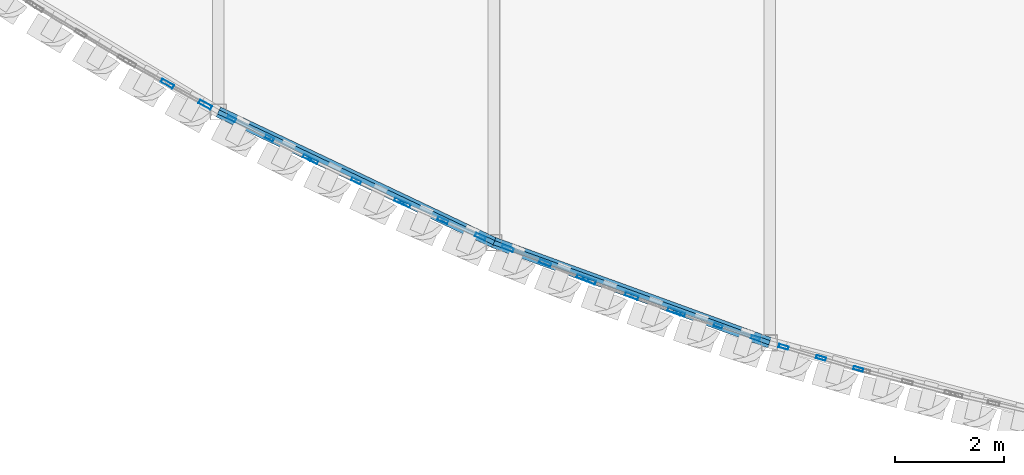
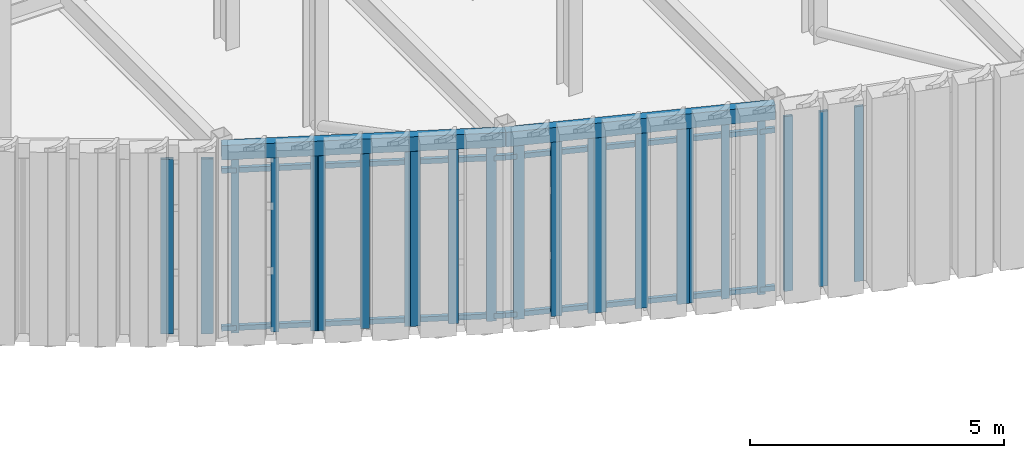
# One storey, part 18 of 121: 27 members, 2 beams, 8 elements without a shape of their own.
"""IFC4 building model written with IfcOpenShell, lengths in metres."""

from ifc_helpers import new_model, si_unit, direction, frame, origin, origin_2d, place, context, subcontext, project, spatial, hollow_rectangle, extrude, material, layer, layer_set, material_profile, profile_set, type_object, element, aggregate, save


model = new_model("IFC4")

# Units and contexts
model_context = context("Model", 3, precision=1e-05, world=origin(), true_north=direction((0.0, 1.0)))
body_context = subcontext(model_context, "Body", "Model", "MODEL_VIEW")
ifc_project = project(units=[si_unit("LENGTHUNIT", "METRE"), si_unit("AREAUNIT", "SQUARE_METRE"), si_unit("VOLUMEUNIT", "CUBIC_METRE"), si_unit("PLANEANGLEUNIT", "RADIAN"), si_unit("MASSUNIT", "GRAM", prefix="KILO")], contexts=[model_context])

# Site, building, storey
site_placement = place(None, origin())
site = spatial("IfcSite", under=ifc_project, at=site_placement, CompositionType="ELEMENT")
building_placement = place(site_placement, origin())
building = spatial("IfcBuilding", under=site, at=building_placement, Name="Solvadek Multi-Sports Hall", CompositionType="ELEMENT")
storey_placement = place(building_placement, frame((0.0, 0.0, 4.800048828125)))
storey = spatial("IfcBuildingStorey", under=building, at=storey_placement, Name="L01", CompositionType="ELEMENT", Elevation=4.800048828125)

# Curtain wall, members
ifc_material_1 = material(Name="Anodised aluminium", Category="aluminium")
ifc_layer_1 = layer(ifc_material_1, 0.159912109375, Name="Anodised aluminium")
ifc_layer_set_1 = layer_set([ifc_layer_1], Name="Anodised aluminium")
curtain_wall_type_1 = type_object("IfcCurtainWallType", Name="ENV-CW-163X420", PredefinedType="USERDEFINED", material=ifc_layer_set_1)
curtain_wall_1_placement = place(storey_placement, origin())
curtain_wall_1 = element("IfcCurtainWall", 1, at=curtain_wall_1_placement, inside=storey, type_object=curtain_wall_type_1, Name="L01 Crescent Curved Curtain Wall #31", ObjectType="CURTAIN WALL", PredefinedType="USERDEFINED")
ifc_material_profile_1 = material_profile(ifc_material_1, hollow_rectangle(XDim=0.06005859375, YDim=0.159912109375, WallThickness=0.00390625, at=origin_2d()), Name="ALU-M 160x60x4")
ifc_profile_set_1 = profile_set([ifc_material_profile_1], Name="Anodised aluminium")
member_type_1 = type_object("IfcMemberType", Name="ENV-CWM-01", PredefinedType="MULLION", material=ifc_profile_set_1)
member_1_placement = place(storey_placement, frame((51.997802734375, -6.447509765625, 0.0), z_axis=(0.0, 0.0, 1.0), x_axis=(0.457096561401, 0.889417075143, 0.0)))
member_1 = element("IfcMember", 2, at=member_1_placement, type_object=member_type_1, Name="CW-15 mullion 1", PredefinedType="MULLION", context=body_context, shape_type="SweptSolid", body=[
    extrude(hollow_rectangle(XDim=0.06005859375, YDim=0.159912109375, WallThickness=0.00390625, at=origin_2d()), origin(), (0.0, 0.0, 1.0), 4.199951171875),
])
member_2_placement = place(storey_placement, frame((52.6943359375, -6.805419921875, 0.0), z_axis=(0.0, 0.0, 1.0), x_axis=(0.457096561401, 0.889417075143, 0.0)))
member_2 = element("IfcMember", 3, at=member_2_placement, type_object=member_type_1, Name="CW-15 mullion 2", PredefinedType="MULLION", context=body_context, shape_type="SweptSolid", body=[
    extrude(hollow_rectangle(XDim=0.06005859375, YDim=0.159912109375, WallThickness=0.00390625, at=origin_2d()), origin(), (0.0, 0.0, 1.0), 4.199951171875),
])
member_3_placement = place(storey_placement, frame((53.39111328125, -7.16357421875, 0.0), z_axis=(0.0, 0.0, 1.0), x_axis=(0.457096561401, 0.889417075143, 0.0)))
member_3 = element("IfcMember", 4, at=member_3_placement, type_object=member_type_1, Name="CW-15 mullion 3", PredefinedType="MULLION", context=body_context, shape_type="SweptSolid", body=[
    extrude(hollow_rectangle(XDim=0.06005859375, YDim=0.159912109375, WallThickness=0.00390625, at=origin_2d()), origin(), (0.0, 0.0, 1.0), 4.199951171875),
])
aggregate(curtain_wall_1, [member_1, member_2, member_3])

ifc_layer_2 = layer(ifc_material_1, 0.159912109375, Name="Anodised aluminium")
ifc_layer_set_2 = layer_set([ifc_layer_2], Name="Anodised aluminium")
curtain_wall_type_2 = type_object("IfcCurtainWallType", Name="ENV-CW-151X420", PredefinedType="USERDEFINED", material=ifc_layer_set_2)
curtain_wall_2_placement = place(storey_placement, origin())
curtain_wall_2 = element("IfcCurtainWall", 5, at=curtain_wall_2_placement, inside=storey, type_object=curtain_wall_type_2, Name="L01 Crescent Curved Curtain Wall #41", ObjectType="CURTAIN WALL", PredefinedType="USERDEFINED")
member_4_placement = place(storey_placement, frame((60.2490234375, -10.02734375, 0.0), z_axis=(0.0, 0.0, 1.0), x_axis=(0.312100192891, 0.950049193251, 0.0)))
member_4 = element("IfcMember", 6, at=member_4_placement, type_object=member_type_1, Name="CW-20 mullion 1", PredefinedType="MULLION", context=body_context, shape_type="SweptSolid", body=[
    extrude(hollow_rectangle(XDim=0.06005859375, YDim=0.159912109375, WallThickness=0.00390625, at=origin_2d()), origin(), (0.0, 0.0, 1.0), 4.199951171875),
])
member_5_placement = place(storey_placement, frame((60.935546875, -10.2529296875, 0.0), z_axis=(0.0, 0.0, 1.0), x_axis=(0.312100192891, 0.950049193251, 0.0)))
member_5 = element("IfcMember", 7, at=member_5_placement, type_object=member_type_1, Name="CW-20 mullion 2", PredefinedType="MULLION", context=body_context, shape_type="SweptSolid", body=[
    extrude(hollow_rectangle(XDim=0.06005859375, YDim=0.159912109375, WallThickness=0.00390625, at=origin_2d()), origin(), (0.0, 0.0, 1.0), 4.199951171875),
])
member_6_placement = place(storey_placement, frame((61.622314453125, -10.478515625, 0.0), z_axis=(0.0, 0.0, 1.0), x_axis=(0.312100192891, 0.950049193251, 0.0)))
member_6 = element("IfcMember", 8, at=member_6_placement, type_object=member_type_1, Name="CW-20 mullion 3", PredefinedType="MULLION", context=body_context, shape_type="SweptSolid", body=[
    extrude(hollow_rectangle(XDim=0.06005859375, YDim=0.159912109375, WallThickness=0.00390625, at=origin_2d()), origin(), (0.0, 0.0, 1.0), 4.199951171875),
])
aggregate(curtain_wall_2, [member_4, member_5, member_6])

ifc_layer_3 = layer(ifc_material_1, 0.159912109375, Name="Anodised aluminium")
ifc_layer_set_3 = layer_set([ifc_layer_3], Name="Anodised aluminium")
curtain_wall_type_3 = type_object("IfcCurtainWallType", Name="ENV-CW-181X420", PredefinedType="USERDEFINED", material=ifc_layer_set_3)
curtain_wall_3_placement = place(storey_placement, origin())
curtain_wall_3 = element("IfcCurtainWall", 9, at=curtain_wall_3_placement, inside=storey, type_object=curtain_wall_type_3, Name="L01 Crescent Curved Curtain Wall #33", ObjectType="CURTAIN WALL", PredefinedType="USERDEFINED")
ifc_material_profile_2 = material_profile(ifc_material_1, hollow_rectangle(XDim=0.06005859375, YDim=0.179931640625, WallThickness=0.00390625, at=origin_2d()), Name="ALU-M 180x60x4")
ifc_profile_set_2 = profile_set([ifc_material_profile_2], Name="Anodised aluminium")
member_type_2 = type_object("IfcMemberType", Name="ENV-CWM-02", PredefinedType="MULLION", material=ifc_profile_set_2)
member_7_placement = place(storey_placement, frame((53.498779296875, -7.216552734375, 0.0), z_axis=(0.0, 0.0, 1.0), x_axis=(0.428160106372, 0.903702895487, 0.0)))
member_7 = element("IfcMember", 10, at=member_7_placement, type_object=member_type_2, Name="CW-16 mullion 1", PredefinedType="MULLION", context=body_context, shape_type="SweptSolid", body=[
    extrude(hollow_rectangle(XDim=0.06005859375, YDim=0.179931640625, WallThickness=0.00390625, at=origin_2d()), origin(), (0.0, 0.0, 1.0), 4.199951171875),
])
member_8_placement = place(storey_placement, frame((54.287841796875, -7.59033203125, 0.0), z_axis=(0.0, 0.0, 1.0), x_axis=(0.428160106372, 0.903702895487, 0.0)))
member_8 = element("IfcMember", 11, at=member_8_placement, type_object=member_type_2, Name="CW-16 mullion 2", PredefinedType="MULLION", context=body_context, shape_type="SweptSolid", body=[
    extrude(hollow_rectangle(XDim=0.06005859375, YDim=0.179931640625, WallThickness=0.00390625, at=origin_2d()), origin(), (0.0, 0.0, 1.0), 4.199951171875),
])
member_9_placement = place(storey_placement, frame((55.0771484375, -7.96435546875, 0.0), z_axis=(0.0, 0.0, 1.0), x_axis=(0.428160106372, 0.903702895487, 0.0)))
member_9 = element("IfcMember", 12, at=member_9_placement, type_object=member_type_2, Name="CW-16 mullion 3", PredefinedType="MULLION", context=body_context, shape_type="SweptSolid", body=[
    extrude(hollow_rectangle(XDim=0.06005859375, YDim=0.179931640625, WallThickness=0.00390625, at=origin_2d()), origin(), (0.0, 0.0, 1.0), 4.199951171875),
])
aggregate(curtain_wall_3, [member_7, member_8, member_9])

ifc_layer_4 = layer(ifc_material_1, 0.159912109375, Name="Anodised aluminium")
ifc_layer_set_4 = layer_set([ifc_layer_4], Name="Anodised aluminium")
curtain_wall_type_4 = type_object("IfcCurtainWallType", Name="ENV-CW-149X420", PredefinedType="USERDEFINED", material=ifc_layer_set_4)
curtain_wall_4_placement = place(storey_placement, origin())
curtain_wall_4 = element("IfcCurtainWall", 13, at=curtain_wall_4_placement, inside=storey, type_object=curtain_wall_type_4, Name="L01 Crescent Curved Curtain Wall #43", ObjectType="CURTAIN WALL", PredefinedType="USERDEFINED")
member_10_placement = place(storey_placement, frame((62.1376953125, -10.63916015625, 0.0), z_axis=(0.0, 0.0, 1.0), x_axis=(0.283173450223, 0.959068713434, 0.0)))
member_10 = element("IfcMember", 14, at=member_10_placement, type_object=member_type_2, Name="CW-21 mullion 1", PredefinedType="MULLION", context=body_context, shape_type="SweptSolid", body=[
    extrude(hollow_rectangle(XDim=0.06005859375, YDim=0.179931640625, WallThickness=0.00390625, at=origin_2d()), origin(), (0.0, 0.0, 1.0), 4.199951171875),
])
member_11_placement = place(storey_placement, frame((62.822998046875, -10.841552734375, 0.0), z_axis=(0.0, 0.0, 1.0), x_axis=(0.283173450223, 0.959068713434, 0.0)))
member_11 = element("IfcMember", 15, at=member_11_placement, type_object=member_type_2, Name="CW-21 mullion 2", PredefinedType="MULLION", context=body_context, shape_type="SweptSolid", body=[
    extrude(hollow_rectangle(XDim=0.06005859375, YDim=0.179931640625, WallThickness=0.00390625, at=origin_2d()), origin(), (0.0, 0.0, 1.0), 4.199951171875),
])
member_12_placement = place(storey_placement, frame((63.508056640625, -11.043701171875, 0.0), z_axis=(0.0, 0.0, 1.0), x_axis=(0.283173450223, 0.959068713434, 0.0)))
member_12 = element("IfcMember", 16, at=member_12_placement, type_object=member_type_2, Name="CW-21 mullion 3", PredefinedType="MULLION", context=body_context, shape_type="SweptSolid", body=[
    extrude(hollow_rectangle(XDim=0.06005859375, YDim=0.179931640625, WallThickness=0.00390625, at=origin_2d()), origin(), (0.0, 0.0, 1.0), 4.199951171875),
])
aggregate(curtain_wall_4, [member_10, member_11, member_12])

ifc_layer_5 = layer(ifc_material_1, 0.159912109375, Name="Anodised aluminium")
ifc_layer_set_5 = layer_set([ifc_layer_5], Name="Anodised aluminium")
curtain_wall_type_5 = type_object("IfcCurtainWallType", Name="ENV-CW-157X420", PredefinedType="USERDEFINED", material=ifc_layer_set_5)
curtain_wall_5_placement = place(storey_placement, origin())
curtain_wall_5 = element("IfcCurtainWall", 17, at=curtain_wall_5_placement, inside=storey, type_object=curtain_wall_type_5, Name="L01 Crescent Curved Curtain Wall #35", ObjectType="CURTAIN WALL", PredefinedType="USERDEFINED")
ifc_material_profile_3 = material_profile(ifc_material_1, hollow_rectangle(XDim=0.06494140625, YDim=0.199951171875, WallThickness=0.0048828125, at=origin_2d()), Name="ALU-M 200x65x5")
ifc_profile_set_3 = profile_set([ifc_material_profile_3], Name="Anodised aluminium")
member_type_3 = type_object("IfcMemberType", Name="ENV-CWM-03", PredefinedType="MULLION", material=ifc_profile_set_3)
member_13_placement = place(storey_placement, frame((55.188720703125, -8.014892578125, 0.0), z_axis=(0.0, 0.0, 1.0), x_axis=(0.399056872581, 0.916926176116, 0.0)))
member_13 = element("IfcMember", 18, at=member_13_placement, type_object=member_type_3, Name="CW-17 mullion 1", PredefinedType="MULLION", context=body_context, shape_type="SweptSolid", body=[
    extrude(hollow_rectangle(XDim=0.06494140625, YDim=0.199951171875, WallThickness=0.0048828125, at=origin_2d()), origin(), (0.0, 0.0, 1.0), 4.199951171875),
])
member_14_placement = place(storey_placement, frame((55.87841796875, -8.315185546875, 0.0), z_axis=(0.0, 0.0, 1.0), x_axis=(0.399056872581, 0.916926176116, 0.0)))
member_14 = element("IfcMember", 19, at=member_14_placement, type_object=member_type_3, Name="CW-17 mullion 2", PredefinedType="MULLION", context=body_context, shape_type="SweptSolid", body=[
    extrude(hollow_rectangle(XDim=0.06494140625, YDim=0.199951171875, WallThickness=0.0048828125, at=origin_2d()), origin(), (0.0, 0.0, 1.0), 4.199951171875),
])
member_15_placement = place(storey_placement, frame((56.568359375, -8.615478515625, 0.0), z_axis=(0.0, 0.0, 1.0), x_axis=(0.399056872581, 0.916926176116, 0.0)))
member_15 = element("IfcMember", 20, at=member_15_placement, type_object=member_type_3, Name="CW-17 mullion 3", PredefinedType="MULLION", context=body_context, shape_type="SweptSolid", body=[
    extrude(hollow_rectangle(XDim=0.06494140625, YDim=0.199951171875, WallThickness=0.0048828125, at=origin_2d()), origin(), (0.0, 0.0, 1.0), 4.199951171875),
])
aggregate(curtain_wall_5, [member_13, member_14, member_15])

ifc_layer_6 = layer(ifc_material_1, 0.159912109375, Name="Anodised aluminium")
ifc_layer_set_6 = layer_set([ifc_layer_6], Name="Anodised aluminium")
curtain_wall_type_6 = type_object("IfcCurtainWallType", Name="ENV-CW-155X420", PredefinedType="USERDEFINED", material=ifc_layer_set_6)
curtain_wall_6_placement = place(storey_placement, origin())
curtain_wall_6 = element("IfcCurtainWall", 21, at=curtain_wall_6_placement, inside=storey, type_object=curtain_wall_type_6, Name="L01 Crescent Curved Curtain Wall #37", ObjectType="CURTAIN WALL", PredefinedType="USERDEFINED")
ifc_material_profile_4 = material_profile(ifc_material_1, hollow_rectangle(XDim=0.06494140625, YDim=0.219970703125, WallThickness=0.0048828125, at=origin_2d()), Name="ALU-M 220x65x5")
ifc_profile_set_4 = profile_set([ifc_material_profile_4], Name="Anodised aluminium")
member_type_4 = type_object("IfcMemberType", Name="ENV-CWM-04", PredefinedType="MULLION", material=ifc_profile_set_4)
member_16_placement = place(storey_placement, frame((57.0712890625, -8.824951171875, 0.0), z_axis=(0.0, 0.0, 1.0), x_axis=(0.370163448708, 0.928966641619, 0.0)))
member_16 = element("IfcMember", 22, at=member_16_placement, type_object=member_type_4, Name="CW-18 mullion 1", PredefinedType="MULLION", context=body_context, shape_type="SweptSolid", body=[
    extrude(hollow_rectangle(XDim=0.06494140625, YDim=0.219970703125, WallThickness=0.0048828125, at=origin_2d()), origin(), (0.0, 0.0, 1.0), 4.199951171875),
])
member_17_placement = place(storey_placement, frame((57.75927734375, -9.09912109375, 0.0), z_axis=(0.0, 0.0, 1.0), x_axis=(0.370163448708, 0.928966641619, 0.0)))
member_17 = element("IfcMember", 23, at=member_17_placement, type_object=member_type_4, Name="CW-18 mullion 2", PredefinedType="MULLION", context=body_context, shape_type="SweptSolid", body=[
    extrude(hollow_rectangle(XDim=0.06494140625, YDim=0.219970703125, WallThickness=0.0048828125, at=origin_2d()), origin(), (0.0, 0.0, 1.0), 4.199951171875),
])
member_18_placement = place(storey_placement, frame((58.447021484375, -9.373291015625, 0.0), z_axis=(0.0, 0.0, 1.0), x_axis=(0.370163448708, 0.928966641619, 0.0)))
member_18 = element("IfcMember", 24, at=member_18_placement, type_object=member_type_4, Name="CW-18 mullion 3", PredefinedType="MULLION", context=body_context, shape_type="SweptSolid", body=[
    extrude(hollow_rectangle(XDim=0.06494140625, YDim=0.219970703125, WallThickness=0.0048828125, at=origin_2d()), origin(), (0.0, 0.0, 1.0), 4.199951171875),
])
aggregate(curtain_wall_6, [member_16, member_17, member_18])

ifc_layer_7 = layer(ifc_material_1, 0.159912109375, Name="Anodised aluminium")
ifc_layer_set_7 = layer_set([ifc_layer_7], Name="Anodised aluminium")
curtain_wall_type_7 = type_object("IfcCurtainWallType", Name="ENV-CW-166X420", PredefinedType="USERDEFINED", material=ifc_layer_set_7)
curtain_wall_7_placement = place(storey_placement, origin())
curtain_wall_7 = element("IfcCurtainWall", 25, at=curtain_wall_7_placement, inside=storey, type_object=curtain_wall_type_7, Name="L01 Crescent Curved Curtain Wall #29", ObjectType="CURTAIN WALL", PredefinedType="USERDEFINED")
ifc_material_profile_5 = material_profile(ifc_material_1, hollow_rectangle(XDim=0.070068359375, YDim=0.25, WallThickness=0.0048828125, at=origin_2d()), Name="ALU-M 250x70x5")
ifc_profile_set_5 = profile_set([ifc_material_profile_5], Name="Anodised aluminium")
member_type_5 = type_object("IfcMemberType", Name="ENV-CWM-05", PredefinedType="MULLION", material=ifc_profile_set_5)
member_19_placement = place(storey_placement, frame((50.822509765625, -5.803955078125, 0.0), z_axis=(0.0, 0.0, 1.0), x_axis=(0.486005981468, 0.873955482835, 0.0)))
member_19 = element("IfcMember", 26, at=member_19_placement, type_object=member_type_5, Name="CW-14 mullion 2", PredefinedType="MULLION", context=body_context, shape_type="SweptSolid", body=[
    extrude(hollow_rectangle(XDim=0.070068359375, YDim=0.25, WallThickness=0.0048828125, at=origin_2d()), origin(), (0.0, 0.0, 1.0), 4.199951171875),
])
member_20_placement = place(storey_placement, frame((51.517333984375, -6.190185546875, 0.0), z_axis=(0.0, 0.0, 1.0), x_axis=(0.486005981468, 0.873955482835, 0.0)))
member_20 = element("IfcMember", 27, at=member_20_placement, type_object=member_type_5, Name="CW-14 mullion 3", PredefinedType="MULLION", context=body_context, shape_type="SweptSolid", body=[
    extrude(hollow_rectangle(XDim=0.070068359375, YDim=0.25, WallThickness=0.0048828125, at=origin_2d()), origin(), (0.0, 0.0, 1.0), 4.199951171875),
])
aggregate(curtain_wall_7, [member_19, member_20])

ifc_layer_8 = layer(ifc_material_1, 0.159912109375, Name="Anodised aluminium")
ifc_layer_set_8 = layer_set([ifc_layer_8], Name="Anodised aluminium")
curtain_wall_type_8 = type_object("IfcCurtainWallType", Name="ENV-CW-173X420", PredefinedType="USERDEFINED", material=ifc_layer_set_8)
curtain_wall_8_placement = place(storey_placement, origin())
curtain_wall_8 = element("IfcCurtainWall", 28, at=curtain_wall_8_placement, inside=storey, type_object=curtain_wall_type_8, Name="L01 Crescent Curved Curtain Wall #39", ObjectType="CURTAIN WALL", PredefinedType="USERDEFINED")
member_21_placement = place(storey_placement, frame((58.566162109375, -9.41845703125, 0.0), z_axis=(0.0, 0.0, 1.0), x_axis=(0.341196764651, 0.939991897727, 0.0)))
member_21 = element("IfcMember", 29, at=member_21_placement, type_object=member_type_5, Name="CW-19 mullion 1", PredefinedType="MULLION", context=body_context, shape_type="SweptSolid", body=[
    extrude(hollow_rectangle(XDim=0.070068359375, YDim=0.25, WallThickness=0.0048828125, at=origin_2d()), origin(), (0.0, 0.0, 1.0), 4.199951171875),
])
member_22_placement = place(storey_placement, frame((59.348388671875, -9.702392578125, 0.0), z_axis=(0.0, 0.0, 1.0), x_axis=(0.341196764651, 0.939991897727, 0.0)))
member_22 = element("IfcMember", 30, at=member_22_placement, type_object=member_type_5, Name="CW-19 mullion 2", PredefinedType="MULLION", context=body_context, shape_type="SweptSolid", body=[
    extrude(hollow_rectangle(XDim=0.070068359375, YDim=0.25, WallThickness=0.0048828125, at=origin_2d()), origin(), (0.0, 0.0, 1.0), 4.199951171875),
])
member_23_placement = place(storey_placement, frame((60.130859375, -9.986328125, 0.0), z_axis=(0.0, 0.0, 1.0), x_axis=(0.341196764651, 0.939991897727, 0.0)))
member_23 = element("IfcMember", 31, at=member_23_placement, type_object=member_type_5, Name="CW-19 mullion 3", PredefinedType="MULLION", context=body_context, shape_type="SweptSolid", body=[
    extrude(hollow_rectangle(XDim=0.070068359375, YDim=0.25, WallThickness=0.0048828125, at=origin_2d()), origin(), (0.0, 0.0, 1.0), 4.199951171875),
])
aggregate(curtain_wall_8, [member_21, member_22, member_23])

# Beams
ifc_material_2 = material(Name="Steel E350 (350 MPa)", Category="steel")
ifc_material_profile_6 = material_profile(ifc_material_2, hollow_rectangle(XDim=0.199951171875, YDim=0.35009765625, WallThickness=0.011962890625, at=origin_2d()), Name="RHS 350x200x12")
ifc_profile_set_6 = profile_set([ifc_material_profile_6], Name="Steel E350 (350 MPa)")
beam_type = type_object("IfcBeamType", Name="STR-SPN-RHS350", PredefinedType="SPANDREL", material=ifc_profile_set_6)
beam_1_placement = place(storey_placement, frame((51.757568359375, -6.323974609375, 4.385009765625), z_axis=(0.90352737495, -0.428530375489, 0.0), x_axis=(0.428530375489, 0.90352737495, 0.0)))
element("IfcBeam", 32, at=beam_1_placement, inside=storey, type_object=beam_type, Name="L01 Curved Crescent Spandrel #44", PredefinedType="SPANDREL", context=body_context, shape_type="SweptSolid", body=[
    extrude(hollow_rectangle(XDim=0.199951171875, YDim=0.35009765625, WallThickness=0.011962890625, at=origin_2d()), origin(), (0.0, 0.0, 1.0), 5.600830078125),
])
beam_2_placement = place(storey_placement, frame((56.818115234375, -8.72412109375, 4.385009765625), z_axis=(0.939892672701, -0.341470004251, 0.0), x_axis=(0.341470004251, 0.939892672701, 0.0)))
element("IfcBeam", 33, at=beam_2_placement, inside=storey, type_object=beam_type, Name="L01 Curved Crescent Spandrel #45", PredefinedType="SPANDREL", context=body_context, shape_type="SweptSolid", body=[
    extrude(hollow_rectangle(XDim=0.199951171875, YDim=0.35009765625, WallThickness=0.011962890625, at=origin_2d()), origin(), (0.0, 0.0, 1.0), 5.384521484375),
])

# Members
ifc_material_3 = material(Name="Steel E250 (250 MPa)", Category="steel")
ifc_material_profile_7 = material_profile(ifc_material_3, hollow_rectangle(XDim=0.080078125, YDim=0.1201171875, WallThickness=0.006103515625, at=origin_2d()), Name="RHS 120x80x6")
ifc_profile_set_7 = profile_set([ifc_material_profile_7], Name="Steel E250 (250 MPa)")
member_type_6 = type_object("IfcMemberType", Name="STR-STD-RHS120", PredefinedType="STUD", material=ifc_profile_set_7)
for number, where, z_axis, x_axis, name in (
    (34, (51.757568359375, -6.323974609375, 0.119873046875), (0.90352737495, -0.428530375489, 0.0), (0.428530375489, 0.90352737495, 0.0), "L01 Flute Subframe Rail W-6 bot"),
    (35, (51.757568359375, -6.323974609375, 3.909912109375), (0.90352737495, -0.428530375489, 0.0), (0.428530375489, 0.90352737495, 0.0), "L01 Flute Subframe Rail W-6 top"),
):
    element("IfcMember", number, at=place(storey_placement, frame(where, z_axis=z_axis, x_axis=x_axis)), inside=storey, type_object=member_type_6, Name=name, PredefinedType="STUD", context=body_context, shape_type="SweptSolid", body=[
        extrude(hollow_rectangle(XDim=0.080078125, YDim=0.1201171875, WallThickness=0.006103515625, at=origin_2d()), origin(), (0.0, 0.0, 1.0), 5.600830078125),
    ])
for number, where, z_axis, x_axis, name in (
    (36, (56.818115234375, -8.72412109375, 0.119873046875), (0.939892672701, -0.341470004251, 0.0), (0.341470004251, 0.939892672701, 0.0), "L01 Flute Subframe Rail W-7 bot"),
    (37, (56.818115234375, -8.72412109375, 3.909912109375), (0.939892672701, -0.341470004251, 0.0), (0.341470004251, 0.939892672701, 0.0), "L01 Flute Subframe Rail W-7 top"),
):
    element("IfcMember", number, at=place(storey_placement, frame(where, z_axis=z_axis, x_axis=x_axis)), inside=storey, type_object=member_type_6, Name=name, PredefinedType="STUD", context=body_context, shape_type="SweptSolid", body=[
        extrude(hollow_rectangle(XDim=0.080078125, YDim=0.1201171875, WallThickness=0.006103515625, at=origin_2d()), origin(), (0.0, 0.0, 1.0), 5.384521484375),
    ])

save(model, "model.ifc")
